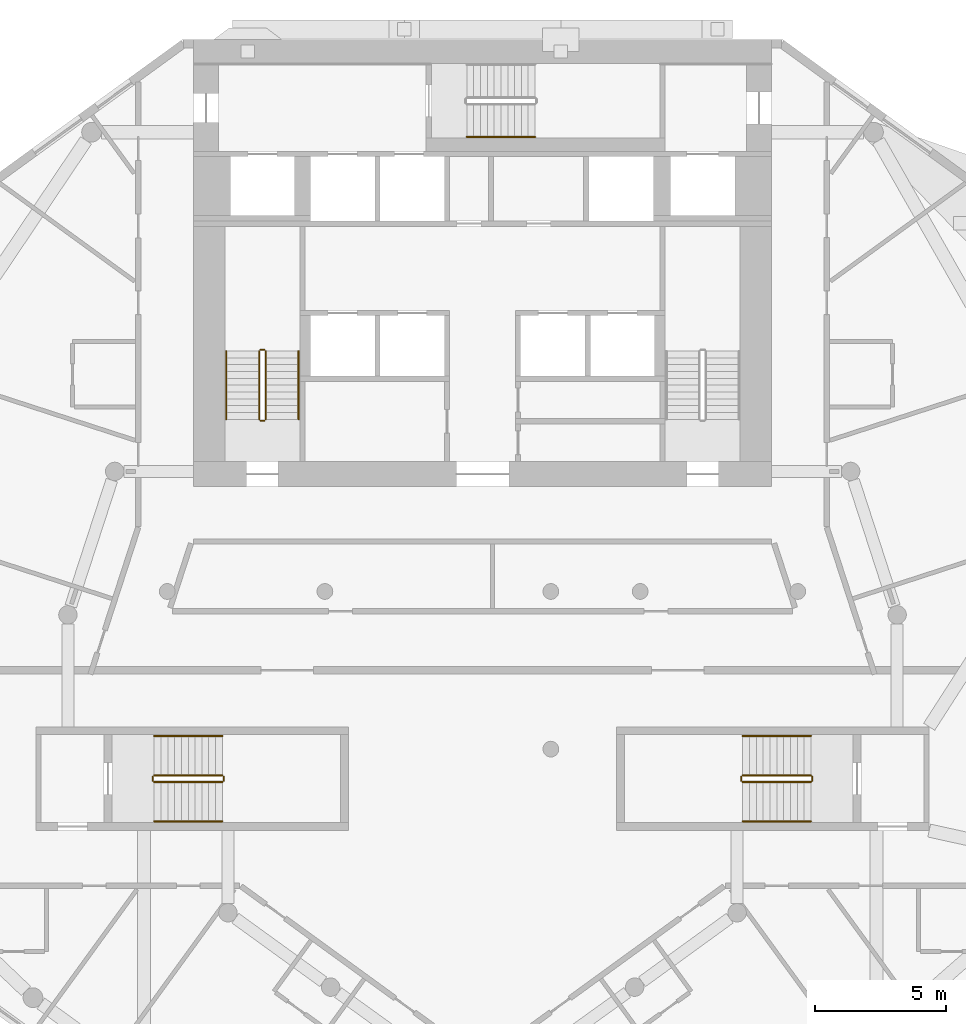
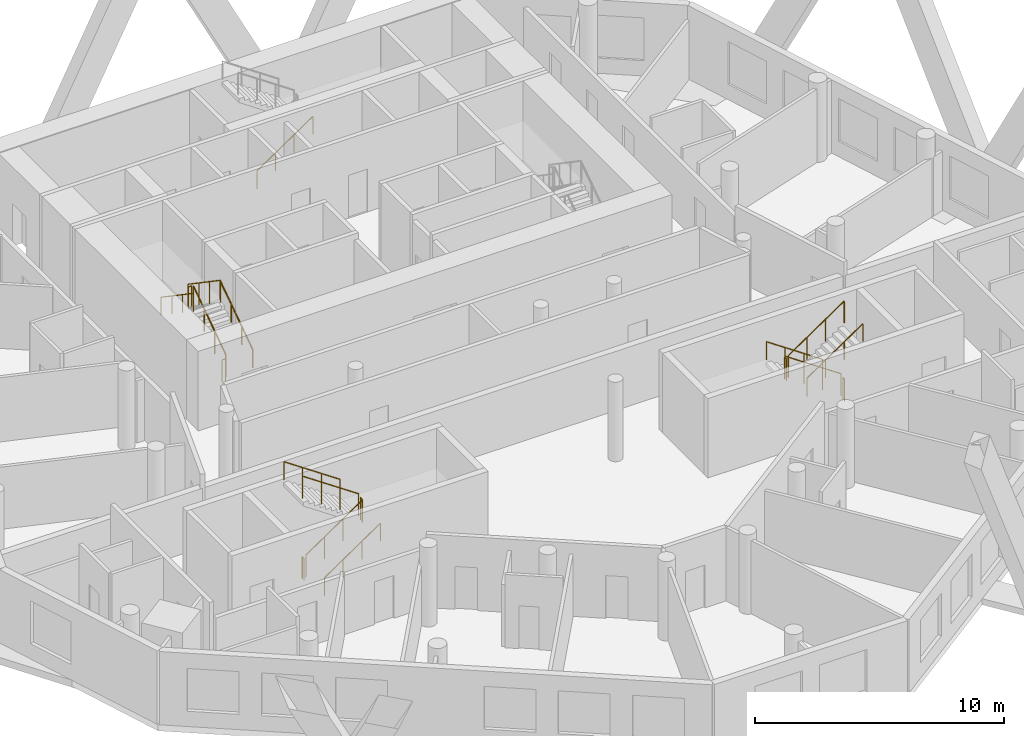
# One storey, part 9 of 10: 19 railings.
"""IFC4 building model written with IfcOpenShell, lengths in metres."""

from ifc_helpers import new_model, si_unit, direction, frame, origin, origin_2d, place, context, subcontext, project, spatial, circle, extrude, material, type_object, element, save


model = new_model("IFC4")

# Units and contexts
model_context = context("Model", 3, precision=1e-05, world=origin(), true_north=direction((0.0, 1.0)))
body_context = subcontext(model_context, "Body", "Model", "MODEL_VIEW")
ifc_project = project(units=[si_unit("LENGTHUNIT", "METRE"), si_unit("AREAUNIT", "SQUARE_METRE"), si_unit("VOLUMEUNIT", "CUBIC_METRE"), si_unit("PLANEANGLEUNIT", "RADIAN"), si_unit("MASSUNIT", "GRAM", prefix="KILO")], contexts=[model_context])

# Site, building, storey
site_placement = place(None, origin())
site = spatial("IfcSite", under=ifc_project, at=site_placement, CompositionType="ELEMENT")
building_placement = place(site_placement, origin())
building = spatial("IfcBuilding", under=site, at=building_placement, Name="White Candle Pilgrim Tower", CompositionType="ELEMENT")
storey_placement = place(building_placement, frame((0.0, 0.0, 160.300048828125)))
storey = spatial("IfcBuildingStorey", under=building, at=storey_placement, Name="L36", CompositionType="ELEMENT", Elevation=160.300048828125)

# Railings
ifc_material = material(Name="Stainless steel", Category="steel")
railing_type_1 = type_object("IfcRailingType", Name="Stair guard stainless steel 1100 mm", PredefinedType="GUARDRAIL", material=ifc_material)
railing_1_placement = place(storey_placement, frame((61.75, 73.550048828125, 0.17724609375)))
element("IfcRailing", 1, at=railing_1_placement, inside=storey, type_object=railing_type_1, Name="L36 ST1 stair guard 1", PredefinedType="GUARDRAIL", context=body_context, shape_type="SweptSolid", body=[
    extrude(circle(Radius=0.02392578125, at=origin_2d()), frame((0.0, 0.0, 1.076171875), z_axis=(0.0, 0.826215852431, 0.563353676824), x_axis=(-1.0, 0.0, 0.0)), (0.0, 0.0, 1.0), 3.146728515625),
    extrude(circle(Radius=0.02099609375, at=origin_2d()), origin(), (0.0, 0.0, 1.0), 1.052001953125),
    extrude(circle(Radius=0.02099609375, at=origin_2d()), frame((0.0, 0.86669921875, 0.5908203125)), (0.0, 0.0, 1.0), 1.052001953125),
    extrude(circle(Radius=0.02099609375, at=origin_2d()), frame((0.0, 1.733154296875, 1.181884765625)), (0.0, 0.0, 1.0), 1.052001953125),
    extrude(circle(Radius=0.02099609375, at=origin_2d()), frame((0.0, 2.599853515625, 1.772705078125)), (0.0, 0.0, 1.0), 1.052001953125),
])
railing_2_placement = place(storey_placement, frame((61.699951171875, 76.199951171875, 1.949951171875)))
element("IfcRailing", 2, at=railing_2_placement, inside=storey, type_object=railing_type_1, Name="L36 ST1 stair guard 2", PredefinedType="GUARDRAIL", context=body_context, shape_type="SweptSolid", body=[
    extrude(circle(Radius=0.02392578125, at=origin_2d()), frame((0.0, 0.0, 1.076171875), z_axis=(-1.0, 0.0, 0.0), x_axis=(0.0, -1.0, 0.0)), (0.0, 0.0, 1.0), 0.14990234375),
    extrude(circle(Radius=0.02099609375, at=origin_2d()), origin(), (0.0, 0.0, 1.0), 1.052001953125),
    extrude(circle(Radius=0.02099609375, at=origin_2d()), frame((-0.14990234375, 0.0, 0.0)), (0.0, 0.0, 1.0), 1.052001953125),
])
railing_3_placement = place(storey_placement, frame((61.5, 76.14990234375, 2.127197265625)))
element("IfcRailing", 3, at=railing_3_placement, inside=storey, type_object=railing_type_1, Name="L36 ST1 stair guard 3", PredefinedType="GUARDRAIL", context=body_context, shape_type="SweptSolid", body=[
    extrude(circle(Radius=0.02392578125, at=origin_2d()), frame((0.0, 0.0, 1.076171875), z_axis=(0.0, -0.826215852431, 0.563353676824), x_axis=(1.0, 0.0, 0.0)), (0.0, 0.0, 1.0), 3.146728515625),
    extrude(circle(Radius=0.02099609375, at=origin_2d()), origin(), (0.0, 0.0, 1.0), 1.052001953125),
    extrude(circle(Radius=0.02099609375, at=origin_2d()), frame((0.0, -0.86669921875, 0.5908203125)), (0.0, 0.0, 1.0), 1.052001953125),
    extrude(circle(Radius=0.02099609375, at=origin_2d()), frame((0.0, -1.733154296875, 1.181884765625)), (0.0, 0.0, 1.0), 1.052001953125),
    extrude(circle(Radius=0.02099609375, at=origin_2d()), frame((0.0, -2.599853515625, 1.772705078125)), (0.0, 0.0, 1.0), 1.052001953125),
])
railing_4_placement = place(storey_placement, frame((61.699951171875, 73.5, 0.0)))
element("IfcRailing", 4, at=railing_4_placement, inside=storey, type_object=railing_type_1, Name="L36 ST1 stair guard 4", PredefinedType="GUARDRAIL", context=body_context, shape_type="SweptSolid", body=[
    extrude(circle(Radius=0.02392578125, at=origin_2d()), frame((0.0, 0.0, 1.076171875), z_axis=(-1.0, 0.0, 0.0), x_axis=(0.0, -1.0, 0.0)), (0.0, 0.0, 1.0), 0.14990234375),
    extrude(circle(Radius=0.02099609375, at=origin_2d()), origin(), (0.0, 0.0, 1.0), 1.052001953125),
    extrude(circle(Radius=0.02099609375, at=origin_2d()), frame((-0.14990234375, 0.0, 0.0)), (0.0, 0.0, 1.0), 1.052001953125),
])
railing_5_placement = place(storey_placement, frame((82.5, 60.0, 0.17724609375)))
element("IfcRailing", 5, at=railing_5_placement, inside=storey, type_object=railing_type_1, Name="L36 ST4 stair guard 1", PredefinedType="GUARDRAIL", context=body_context, shape_type="SweptSolid", body=[
    extrude(circle(Radius=0.02392578125, at=origin_2d()), frame((0.0, 0.0, 1.076171875), z_axis=(-0.826240473404, 0.0, 0.563317565952), x_axis=(0.0, -1.0, 0.0)), (0.0, 0.0, 1.0), 3.14697265625),
    extrude(circle(Radius=0.02099609375, at=origin_2d()), origin(), (0.0, 0.0, 1.0), 1.052001953125),
    extrude(circle(Radius=0.02099609375, at=origin_2d()), frame((-0.86669921875, 0.0, 0.5908203125)), (0.0, 0.0, 1.0), 1.052001953125),
    extrude(circle(Radius=0.02099609375, at=origin_2d()), frame((-1.7333984375, 0.0, 1.181884765625)), (0.0, 0.0, 1.0), 1.052001953125),
    extrude(circle(Radius=0.02099609375, at=origin_2d()), frame((-2.60009765625, 0.0, 1.772705078125)), (0.0, 0.0, 1.0), 1.052001953125),
])
railing_6_placement = place(storey_placement, frame((79.85009765625, 59.949951171875, 1.949951171875)))
element("IfcRailing", 6, at=railing_6_placement, inside=storey, type_object=railing_type_1, Name="L36 ST4 stair guard 2", PredefinedType="GUARDRAIL", context=body_context, shape_type="SweptSolid", body=[
    extrude(circle(Radius=0.02392578125, at=origin_2d()), frame((0.0, 0.0, 1.076171875), z_axis=(0.0, -1.0, 0.0), x_axis=(1.0, 0.0, 0.0)), (0.0, 0.0, 1.0), 0.14990234375),
    extrude(circle(Radius=0.02099609375, at=origin_2d()), origin(), (0.0, 0.0, 1.0), 1.052001953125),
    extrude(circle(Radius=0.02099609375, at=origin_2d()), frame((0.0, -0.14990234375, 0.0)), (0.0, 0.0, 1.0), 1.052001953125),
])
railing_7_placement = place(storey_placement, frame((79.89990234375, 59.75, 2.127197265625)))
element("IfcRailing", 7, at=railing_7_placement, inside=storey, type_object=railing_type_1, Name="L36 ST4 stair guard 3", PredefinedType="GUARDRAIL", context=body_context, shape_type="SweptSolid", body=[
    extrude(circle(Radius=0.02392578125, at=origin_2d()), frame((0.0, 0.0, 1.076171875), z_axis=(0.826240473404, 0.0, 0.563317565952), x_axis=(0.0, 1.0, 0.0)), (0.0, 0.0, 1.0), 3.14697265625),
    extrude(circle(Radius=0.02099609375, at=origin_2d()), origin(), (0.0, 0.0, 1.0), 1.052001953125),
    extrude(circle(Radius=0.02099609375, at=origin_2d()), frame((0.86669921875, 0.0, 0.5908203125)), (0.0, 0.0, 1.0), 1.052001953125),
    extrude(circle(Radius=0.02099609375, at=origin_2d()), frame((1.7333984375, 0.0, 1.181884765625)), (0.0, 0.0, 1.0), 1.052001953125),
    extrude(circle(Radius=0.02099609375, at=origin_2d()), frame((2.60009765625, 0.0, 1.772705078125)), (0.0, 0.0, 1.0), 1.052001953125),
])
railing_8_placement = place(storey_placement, frame((82.550048828125, 59.949951171875, 0.0)))
element("IfcRailing", 8, at=railing_8_placement, inside=storey, type_object=railing_type_1, Name="L36 ST4 stair guard 4", PredefinedType="GUARDRAIL", context=body_context, shape_type="SweptSolid", body=[
    extrude(circle(Radius=0.02392578125, at=origin_2d()), frame((0.0, 0.0, 1.076171875), z_axis=(0.0, -1.0, 0.0), x_axis=(1.0, 0.0, 0.0)), (0.0, 0.0, 1.0), 0.14990234375),
    extrude(circle(Radius=0.02099609375, at=origin_2d()), origin(), (0.0, 0.0, 1.0), 1.052001953125),
    extrude(circle(Radius=0.02099609375, at=origin_2d()), frame((0.0, -0.14990234375, 0.0)), (0.0, 0.0, 1.0), 1.052001953125),
])
railing_9_placement = place(storey_placement, frame((57.5, 59.75, 0.17724609375)))
element("IfcRailing", 9, at=railing_9_placement, inside=storey, type_object=railing_type_1, Name="L36 ST5 stair guard 1", PredefinedType="GUARDRAIL", context=body_context, shape_type="SweptSolid", body=[
    extrude(circle(Radius=0.02392578125, at=origin_2d()), frame((0.0, 0.0, 1.076171875), z_axis=(0.826240473404, 0.0, 0.563317565952), x_axis=(0.0, 1.0, 0.0)), (0.0, 0.0, 1.0), 3.14697265625),
    extrude(circle(Radius=0.02099609375, at=origin_2d()), origin(), (0.0, 0.0, 1.0), 1.052001953125),
    extrude(circle(Radius=0.02099609375, at=origin_2d()), frame((0.86669921875, 0.0, 0.5908203125)), (0.0, 0.0, 1.0), 1.052001953125),
    extrude(circle(Radius=0.02099609375, at=origin_2d()), frame((1.7333984375, 0.0, 1.181884765625)), (0.0, 0.0, 1.0), 1.052001953125),
    extrude(circle(Radius=0.02099609375, at=origin_2d()), frame((2.60009765625, 0.0, 1.772705078125)), (0.0, 0.0, 1.0), 1.052001953125),
])
railing_10_placement = place(storey_placement, frame((60.14990234375, 59.800048828125, 1.949951171875)))
element("IfcRailing", 10, at=railing_10_placement, inside=storey, type_object=railing_type_1, Name="L36 ST5 stair guard 2", PredefinedType="GUARDRAIL", context=body_context, shape_type="SweptSolid", body=[
    extrude(circle(Radius=0.02392578125, at=origin_2d()), frame((0.0, 0.0, 1.076171875), z_axis=(0.0, 1.0, 0.0), x_axis=(-1.0, 0.0, 0.0)), (0.0, 0.0, 1.0), 0.14990234375),
    extrude(circle(Radius=0.02099609375, at=origin_2d()), origin(), (0.0, 0.0, 1.0), 1.052001953125),
    extrude(circle(Radius=0.02099609375, at=origin_2d()), frame((0.0, 0.14990234375, 0.0)), (0.0, 0.0, 1.0), 1.052001953125),
])
railing_11_placement = place(storey_placement, frame((60.10009765625, 60.0, 2.127197265625)))
element("IfcRailing", 11, at=railing_11_placement, inside=storey, type_object=railing_type_1, Name="L36 ST5 stair guard 3", PredefinedType="GUARDRAIL", context=body_context, shape_type="SweptSolid", body=[
    extrude(circle(Radius=0.02392578125, at=origin_2d()), frame((0.0, 0.0, 1.076171875), z_axis=(-0.826240473404, 0.0, 0.563317565952), x_axis=(0.0, -1.0, 0.0)), (0.0, 0.0, 1.0), 3.14697265625),
    extrude(circle(Radius=0.02099609375, at=origin_2d()), origin(), (0.0, 0.0, 1.0), 1.052001953125),
    extrude(circle(Radius=0.02099609375, at=origin_2d()), frame((-0.86669921875, 0.0, 0.5908203125)), (0.0, 0.0, 1.0), 1.052001953125),
    extrude(circle(Radius=0.02099609375, at=origin_2d()), frame((-1.7333984375, 0.0, 1.181884765625)), (0.0, 0.0, 1.0), 1.052001953125),
    extrude(circle(Radius=0.02099609375, at=origin_2d()), frame((-2.60009765625, 0.0, 1.772705078125)), (0.0, 0.0, 1.0), 1.052001953125),
])
railing_12_placement = place(storey_placement, frame((57.449951171875, 59.800048828125, 0.0)))
element("IfcRailing", 12, at=railing_12_placement, inside=storey, type_object=railing_type_1, Name="L36 ST5 stair guard 4", PredefinedType="GUARDRAIL", context=body_context, shape_type="SweptSolid", body=[
    extrude(circle(Radius=0.02392578125, at=origin_2d()), frame((0.0, 0.0, 1.076171875), z_axis=(0.0, 1.0, 0.0), x_axis=(-1.0, 0.0, 0.0)), (0.0, 0.0, 1.0), 0.14990234375),
    extrude(circle(Radius=0.02099609375, at=origin_2d()), origin(), (0.0, 0.0, 1.0), 1.052001953125),
    extrude(circle(Radius=0.02099609375, at=origin_2d()), frame((0.0, 0.14990234375, 0.0)), (0.0, 0.0, 1.0), 1.052001953125),
])
railing_type_2 = type_object("IfcRailingType", Name="Stair handrail stainless steel", PredefinedType="HANDRAIL", material=ifc_material)
railing_13_placement = place(storey_placement, frame((63.0, 73.550048828125, 0.17724609375)))
element("IfcRailing", 13, at=railing_13_placement, inside=storey, type_object=railing_type_2, Name="L36 ST1 stair handrail 1", PredefinedType="HANDRAIL", context=body_context, shape_type="SweptSolid", body=[
    extrude(circle(Radius=0.02392578125, at=origin_2d()), frame((0.0, 0.0, 0.8759765625), z_axis=(0.0, 0.826215852431, 0.563353676824), x_axis=(-1.0, 0.0, 0.0)), (0.0, 0.0, 1.0), 3.146728515625),
    extrude(circle(Radius=0.02099609375, at=origin_2d()), origin(), (0.0, 0.0, 1.0), 0.851806640625),
    extrude(circle(Radius=0.02099609375, at=origin_2d()), frame((0.0, 0.86669921875, 0.5908203125)), (0.0, 0.0, 1.0), 0.851806640625),
    extrude(circle(Radius=0.02099609375, at=origin_2d()), frame((0.0, 1.733154296875, 1.181884765625)), (0.0, 0.0, 1.0), 0.851806640625),
    extrude(circle(Radius=0.02099609375, at=origin_2d()), frame((0.0, 2.599853515625, 1.772705078125)), (0.0, 0.0, 1.0), 0.851806640625),
])
railing_14_placement = place(storey_placement, frame((60.25, 76.14990234375, 2.127197265625)))
element("IfcRailing", 14, at=railing_14_placement, inside=storey, type_object=railing_type_2, Name="L36 ST1 stair handrail 2", PredefinedType="HANDRAIL", context=body_context, shape_type="SweptSolid", body=[
    extrude(circle(Radius=0.02392578125, at=origin_2d()), frame((0.0, 0.0, 0.8759765625), z_axis=(0.0, -0.826215852431, 0.563353676824), x_axis=(1.0, 0.0, 0.0)), (0.0, 0.0, 1.0), 3.146728515625),
    extrude(circle(Radius=0.02099609375, at=origin_2d()), origin(), (0.0, 0.0, 1.0), 0.851806640625),
    extrude(circle(Radius=0.02099609375, at=origin_2d()), frame((0.0, -0.86669921875, 0.5908203125)), (0.0, 0.0, 1.0), 0.851806640625),
    extrude(circle(Radius=0.02099609375, at=origin_2d()), frame((0.0, -1.733154296875, 1.181884765625)), (0.0, 0.0, 1.0), 0.851806640625),
    extrude(circle(Radius=0.02099609375, at=origin_2d()), frame((0.0, -2.599853515625, 1.772705078125)), (0.0, 0.0, 1.0), 0.851806640625),
])
railing_15_placement = place(storey_placement, frame((69.39990234375, 84.300048828125, 0.17724609375)))
element("IfcRailing", 15, at=railing_15_placement, inside=storey, type_object=railing_type_2, Name="L36 ST3 stair handrail 1", PredefinedType="HANDRAIL", context=body_context, shape_type="SweptSolid", body=[
    extrude(circle(Radius=0.02392578125, at=origin_2d()), frame((0.0, 0.0, 0.8759765625), z_axis=(0.826240473404, 0.0, 0.563317565952), x_axis=(0.0, 1.0, 0.0)), (0.0, 0.0, 1.0), 3.14697265625),
    extrude(circle(Radius=0.02099609375, at=origin_2d()), origin(), (0.0, 0.0, 1.0), 0.851806640625),
    extrude(circle(Radius=0.02099609375, at=origin_2d()), frame((0.86669921875, 0.0, 0.5908203125)), (0.0, 0.0, 1.0), 0.851806640625),
    extrude(circle(Radius=0.02099609375, at=origin_2d()), frame((1.7333984375, 0.0, 1.181884765625)), (0.0, 0.0, 1.0), 0.851806640625),
    extrude(circle(Radius=0.02099609375, at=origin_2d()), frame((2.60009765625, 0.0, 1.772705078125)), (0.0, 0.0, 1.0), 0.851806640625),
])
railing_16_placement = place(storey_placement, frame((82.5, 61.5, 0.17724609375)))
element("IfcRailing", 16, at=railing_16_placement, inside=storey, type_object=railing_type_2, Name="L36 ST4 stair handrail 1", PredefinedType="HANDRAIL", context=body_context, shape_type="SweptSolid", body=[
    extrude(circle(Radius=0.02392578125, at=origin_2d()), frame((0.0, 0.0, 0.8759765625), z_axis=(-0.826240473404, 0.0, 0.563317565952), x_axis=(0.0, -1.0, 0.0)), (0.0, 0.0, 1.0), 3.14697265625),
    extrude(circle(Radius=0.02099609375, at=origin_2d()), origin(), (0.0, 0.0, 1.0), 0.851806640625),
    extrude(circle(Radius=0.02099609375, at=origin_2d()), frame((-0.86669921875, 0.0, 0.5908203125)), (0.0, 0.0, 1.0), 0.851806640625),
    extrude(circle(Radius=0.02099609375, at=origin_2d()), frame((-1.7333984375, 0.0, 1.181884765625)), (0.0, 0.0, 1.0), 0.851806640625),
    extrude(circle(Radius=0.02099609375, at=origin_2d()), frame((-2.60009765625, 0.0, 1.772705078125)), (0.0, 0.0, 1.0), 0.851806640625),
])
for number, where, name in (
    (17, (79.89990234375, 58.25, 2.127197265625), "L36 ST4 stair handrail 2"),
    (18, (57.5, 58.25, 0.17724609375), "L36 ST5 stair handrail 1"),
):
    element("IfcRailing", number, at=place(storey_placement, frame(where)), inside=storey, type_object=railing_type_2, Name=name, PredefinedType="HANDRAIL", context=body_context, shape_type="SweptSolid", body=[
        extrude(circle(Radius=0.02392578125, at=origin_2d()), frame((0.0, 0.0, 0.8759765625), z_axis=(0.826240473404, 0.0, 0.563317565952), x_axis=(0.0, 1.0, 0.0)), (0.0, 0.0, 1.0), 3.14697265625),
        extrude(circle(Radius=0.02099609375, at=origin_2d()), origin(), (0.0, 0.0, 1.0), 0.851806640625),
        extrude(circle(Radius=0.02099609375, at=origin_2d()), frame((0.86669921875, 0.0, 0.5908203125)), (0.0, 0.0, 1.0), 0.851806640625),
        extrude(circle(Radius=0.02099609375, at=origin_2d()), frame((1.7333984375, 0.0, 1.181884765625)), (0.0, 0.0, 1.0), 0.851806640625),
        extrude(circle(Radius=0.02099609375, at=origin_2d()), frame((2.60009765625, 0.0, 1.772705078125)), (0.0, 0.0, 1.0), 0.851806640625),
    ])
railing_17_placement = place(storey_placement, frame((60.10009765625, 61.5, 2.127197265625)))
element("IfcRailing", 19, at=railing_17_placement, inside=storey, type_object=railing_type_2, Name="L36 ST5 stair handrail 2", PredefinedType="HANDRAIL", context=body_context, shape_type="SweptSolid", body=[
    extrude(circle(Radius=0.02392578125, at=origin_2d()), frame((0.0, 0.0, 0.8759765625), z_axis=(-0.826240473404, 0.0, 0.563317565952), x_axis=(0.0, -1.0, 0.0)), (0.0, 0.0, 1.0), 3.14697265625),
    extrude(circle(Radius=0.02099609375, at=origin_2d()), origin(), (0.0, 0.0, 1.0), 0.851806640625),
    extrude(circle(Radius=0.02099609375, at=origin_2d()), frame((-0.86669921875, 0.0, 0.5908203125)), (0.0, 0.0, 1.0), 0.851806640625),
    extrude(circle(Radius=0.02099609375, at=origin_2d()), frame((-1.7333984375, 0.0, 1.181884765625)), (0.0, 0.0, 1.0), 0.851806640625),
    extrude(circle(Radius=0.02099609375, at=origin_2d()), frame((-2.60009765625, 0.0, 1.772705078125)), (0.0, 0.0, 1.0), 0.851806640625),
])

save(model, "model.ifc")
